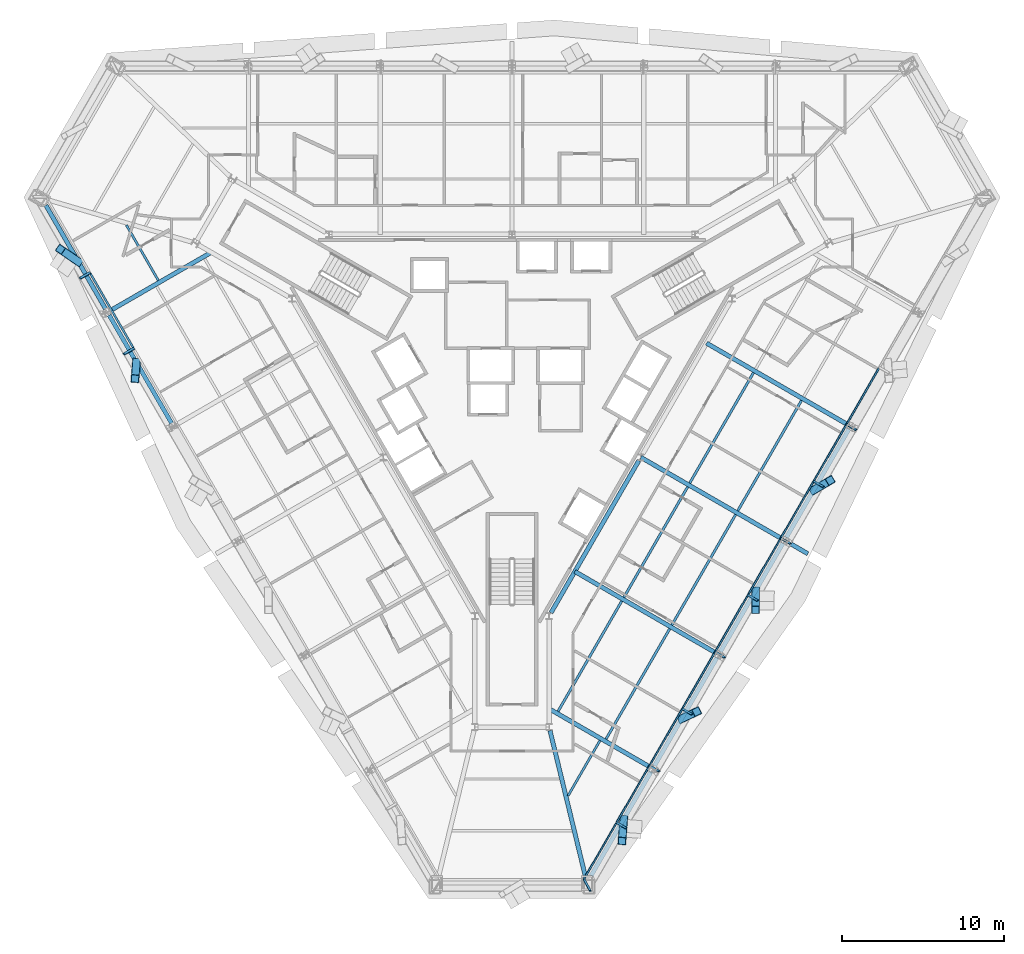
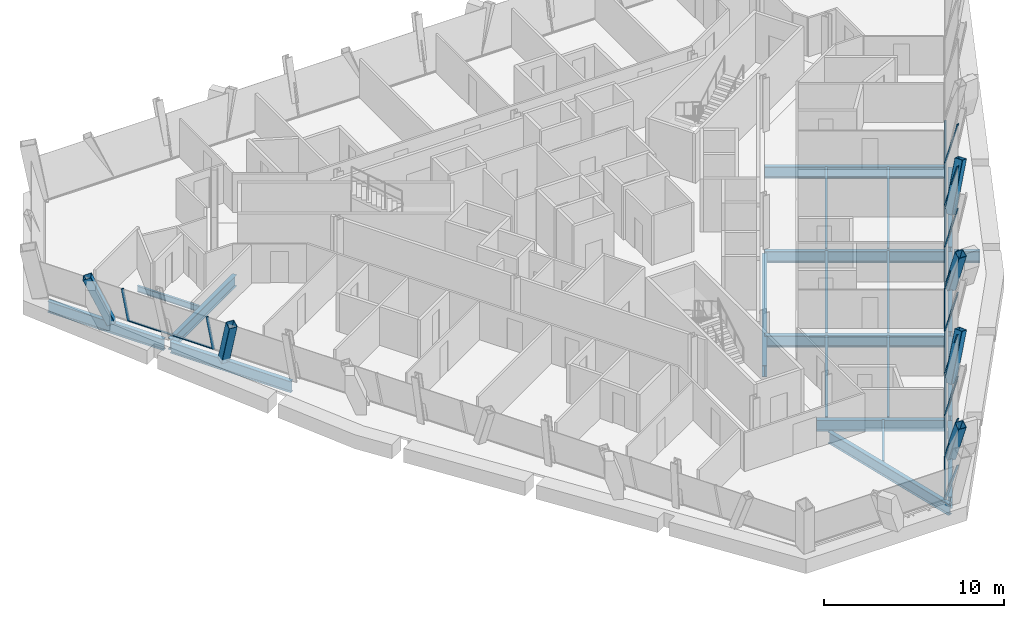
# One storey, part 4 of 14: 27 members, 22 beams, 2 elements without a shape of their own.
"""IFC4 building model written with IfcOpenShell, lengths in metres."""

from ifc_helpers import new_model, si_unit, direction, frame, origin, origin_2d, place, context, subcontext, project, spatial, rectangle, hollow_rectangle, i_section, extrude, material, material_profile, profile_set, type_object, element, aggregate, save


model = new_model("IFC4")

# Units and contexts
model_context = context("Model", 3, precision=1e-05, world=origin(), true_north=direction((0.0, 1.0)))
body_context = subcontext(model_context, "Body", "Model", "MODEL_VIEW")
ifc_project = project(units=[si_unit("LENGTHUNIT", "METRE"), si_unit("AREAUNIT", "SQUARE_METRE"), si_unit("VOLUMEUNIT", "CUBIC_METRE"), si_unit("PLANEANGLEUNIT", "RADIAN"), si_unit("MASSUNIT", "GRAM", prefix="KILO")], contexts=[model_context])

# Site, building, storey
site_placement = place(None, origin())
site = spatial("IfcSite", under=ifc_project, at=site_placement, CompositionType="ELEMENT")
building_placement = place(site_placement, origin())
building = spatial("IfcBuilding", under=site, at=building_placement, Name="Verrane Prism Tower", CompositionType="ELEMENT")
storey_placement = place(building_placement, frame((0.0, 0.0, 128.800048828125)))
storey = spatial("IfcBuildingStorey", under=building, at=storey_placement, Name="L31", CompositionType="ELEMENT", Elevation=128.800048828125)

# Beams
ifc_material_1 = material(Name="Steel A992", Category="steel")
ifc_material_profile_1 = material_profile(ifc_material_1, i_section(OverallWidth=0.2666015625, OverallDepth=0.7568359375, WebThickness=0.013916015625, FlangeThickness=0.019287109375, FilletRadius=0.0166015625, at=origin_2d()), Name="W30x108")
ifc_profile_set_1 = profile_set([ifc_material_profile_1], Name="Steel A992")
beam_type_1 = type_object("IfcBeamType", Name="Core ring girder W30x108", PredefinedType="BEAM", material=ifc_profile_set_1)
beam_1_placement = place(storey_placement, frame((2.4150390625, -14.220703125, -0.628662109375), z_axis=(0.500034555306, 0.86600545235, 0.0), x_axis=(-0.86600545235, 0.500034555306, 0.0)))
element("IfcBeam", 1, at=beam_1_placement, inside=storey, type_object=beam_type_1, Name="Core ring girder L31", PredefinedType="BEAM", context=body_context, shape_type="SweptSolid", body=[
    extrude(i_section(OverallWidth=0.2666015625, OverallDepth=0.7568359375, WebThickness=0.013916015625, FlangeThickness=0.019287109375, FilletRadius=0.0166015625, at=origin_2d()), origin(), (0.0, 0.0, 1.0), 10.879150390625),
])
ifc_material_2 = material(Name="Steel A992", Category="steel")
ifc_material_profile_2 = material_profile(ifc_material_2, i_section(OverallWidth=0.2666015625, OverallDepth=0.76708984375, WebThickness=0.014892578125, FlangeThickness=0.023681640625, FilletRadius=0.0166015625, at=origin_2d()), Name="W30x124")
ifc_profile_set_2 = profile_set([ifc_material_profile_2], Name="Steel A992")
beam_type_2 = type_object("IfcBeamType", Name="Corner girder W30x124", PredefinedType="BEAM", material=ifc_profile_set_2)
beam_2_placement = place(storey_placement, frame((4.639404296875, -30.93798828125, -0.603515625), z_axis=(-0.235869588092, 0.971784717627, 0.0), x_axis=(-0.971784717627, -0.235869588092, 0.0)))
element("IfcBeam", 2, at=beam_2_placement, inside=storey, type_object=beam_type_2, Name="Corner girder L31", PredefinedType="BEAM", context=body_context, shape_type="SweptSolid", body=[
    extrude(i_section(OverallWidth=0.2666015625, OverallDepth=0.76708984375, WebThickness=0.014892578125, FlangeThickness=0.023681640625, FilletRadius=0.0166015625, at=origin_2d()), origin(), (0.0, 0.0, 1.0), 9.6943359375),
])

# Members
ifc_material_3 = material(Name="Steel A1085 Grade A", Category="steel")
ifc_material_profile_3 = material_profile(ifc_material_3, hollow_rectangle(XDim=0.508056640625, YDim=0.508056640625, WallThickness=0.025390625, InnerFilletRadius=0.0126953125, OuterFilletRadius=0.0380859375, at=origin_2d()), Name="HSS20x20x1")
ifc_profile_set_3 = profile_set([ifc_material_profile_3], Name="Steel A1085 Grade A")
member_type_1 = type_object("IfcMemberType", Name="Facade brace HSS20x20x1", PredefinedType="BRACE", material=ifc_profile_set_3)
member_1_placement = place(storey_placement, frame((-26.843994140625, 7.513671875, -0.24267578125), z_axis=(-0.336716788974, 0.231613154228, 0.912675819123), x_axis=(-0.566728792103, -0.823904409626, 0.0)))
element("IfcMember", 3, at=member_1_placement, inside=storey, type_object=member_type_1, Name="Facade brace SW0 L31", PredefinedType="BRACE", context=body_context, shape_type="SweptSolid", body=[
    extrude(hollow_rectangle(XDim=0.508056640625, YDim=0.508056640625, WallThickness=0.025390625, InnerFilletRadius=0.0126953125, OuterFilletRadius=0.0380859375, at=origin_2d()), origin(), (0.0, 0.0, 1.0), 3.296142578125),
])
member_2_placement = place(storey_placement, frame((-23.250244140625, 1.282958984375, -0.24267578125), z_axis=(-0.025523542631, -0.319351795444, 0.94729244667), x_axis=(0.996821379696, -0.079668921054, 0.0)))
element("IfcMember", 4, at=member_2_placement, inside=storey, type_object=member_type_1, Name="Facade brace SW1 L31", PredefinedType="BRACE", context=body_context, shape_type="SweptSolid", body=[
    extrude(hollow_rectangle(XDim=0.508056640625, YDim=0.508056640625, WallThickness=0.025390625, InnerFilletRadius=0.0126953125, OuterFilletRadius=0.0380859375, at=origin_2d()), origin(), (0.0, 0.0, 1.0), 3.17578125),
])
member_3_placement = place(storey_placement, frame((6.91162109375, -27.003662109375, -0.24267578125), z_axis=(-0.03073205858, -0.407958821002, 0.912482953782), x_axis=(0.997174618858, -0.075118436527, 0.0)))
element("IfcMember", 5, at=member_3_placement, inside=storey, type_object=member_type_1, Name="Facade brace SE0 L31", PredefinedType="BRACE", context=body_context, shape_type="SweptSolid", body=[
    extrude(hollow_rectangle(XDim=0.508056640625, YDim=0.508056640625, WallThickness=0.025390625, InnerFilletRadius=0.0126953125, OuterFilletRadius=0.0380859375, at=origin_2d()), origin(), (0.0, 0.0, 1.0), 3.296875),
])
member_4_placement = place(storey_placement, frame((10.509765625, -20.77294921875, -0.24267578125), z_axis=(0.290894533726, 0.136263146181, 0.947001966862), x_axis=(-0.424194800426, 0.905570964249, 0.0)))
element("IfcMember", 6, at=member_4_placement, inside=storey, type_object=member_type_1, Name="Facade brace SE1 L31", PredefinedType="BRACE", context=body_context, shape_type="SweptSolid", body=[
    extrude(hollow_rectangle(XDim=0.508056640625, YDim=0.508056640625, WallThickness=0.025390625, InnerFilletRadius=0.0126953125, OuterFilletRadius=0.0380859375, at=origin_2d()), origin(), (0.0, 0.0, 1.0), 3.1767578125),
])
member_5_placement = place(storey_placement, frame((15.080810546875, -12.85791015625, -0.24267578125), z_axis=(-0.002491623519, -0.366646176077, 0.930357121422), x_axis=(0.999976909917, -0.006795559726, 0.0)))
element("IfcMember", 7, at=member_5_placement, inside=storey, type_object=member_type_1, Name="Facade brace SE2 L31", PredefinedType="BRACE", context=body_context, shape_type="SweptSolid", body=[
    extrude(hollow_rectangle(XDim=0.508056640625, YDim=0.508056640625, WallThickness=0.025390625, InnerFilletRadius=0.0126953125, OuterFilletRadius=0.0380859375, at=origin_2d()), origin(), (0.0, 0.0, 1.0), 3.2333984375),
])
member_6_placement = place(storey_placement, frame((18.678955078125, -6.626953125, -0.24267578125), z_axis=(0.314843865526, 0.184660044959, 0.931006986084), x_axis=(-0.50591604812, 0.862582721978, 0.0)))
element("IfcMember", 8, at=member_6_placement, inside=storey, type_object=member_type_1, Name="Facade brace SE3 L31", PredefinedType="BRACE", context=body_context, shape_type="SweptSolid", body=[
    extrude(hollow_rectangle(XDim=0.508056640625, YDim=0.508056640625, WallThickness=0.025390625, InnerFilletRadius=0.0126953125, OuterFilletRadius=0.0380859375, at=origin_2d()), origin(), (0.0, 0.0, 1.0), 3.231201171875),
])

# Beams
ifc_material_4 = material(Name="Steel A992", Category="steel")
ifc_material_profile_4 = material_profile(ifc_material_4, i_section(OverallWidth=0.140380859375, OverallDepth=0.40380859375, WebThickness=0.007080078125, FlangeThickness=0.01123046875, FilletRadius=0.01025390625, at=origin_2d()), Name="W16x31")
ifc_profile_set_4 = profile_set([ifc_material_profile_4], Name="Steel A992")
beam_type_3 = type_object("IfcBeamType", Name="Floor beam W16x31", PredefinedType="BEAM", material=ifc_profile_set_4)
beam_3_placement = place(storey_placement, frame((-21.891845703125, 6.3505859375, -0.362060546875), z_axis=(-0.499986281351, 0.866033324105, 0.0), x_axis=(-0.866033324105, -0.499986281351, 0.0)))
element("IfcBeam", 9, at=beam_3_placement, inside=storey, type_object=beam_type_3, Name="Floor beam L31", PredefinedType="BEAM", context=body_context, shape_type="SweptSolid", body=[
    extrude(i_section(OverallWidth=0.140380859375, OverallDepth=0.40380859375, WebThickness=0.007080078125, FlangeThickness=0.01123046875, FilletRadius=0.01025390625, at=origin_2d()), origin(), (0.0, 0.0, 1.0), 3.95166015625),
])
beam_4_placement = place(storey_placement, frame((3.46923828125, -25.55126953125, -0.362060546875), z_axis=(0.499995367196, 0.866028078518, 0.0), x_axis=(-0.866028078518, 0.499995367196, 0.0)))
element("IfcBeam", 10, at=beam_4_placement, inside=storey, type_object=beam_type_3, Name="Floor beam L31", PredefinedType="BEAM", context=body_context, shape_type="SweptSolid", body=[
    extrude(i_section(OverallWidth=0.140380859375, OverallDepth=0.40380859375, WebThickness=0.007080078125, FlangeThickness=0.01123046875, FilletRadius=0.01025390625, at=origin_2d()), origin(), (0.0, 0.0, 1.0), 3.94921875),
])
ifc_material_5 = material(Name="Steel A992", Category="steel")
ifc_material_profile_5 = material_profile(ifc_material_5, i_section(OverallWidth=0.15234375, OverallDepth=0.449462890625, WebThickness=0.007568359375, FlangeThickness=0.0107421875, FilletRadius=0.01025390625, at=origin_2d()), Name="W18x35")
ifc_profile_set_5 = profile_set([ifc_material_profile_5], Name="Steel A992")
beam_type_4 = type_object("IfcBeamType", Name="Floor beam W18x35", PredefinedType="BEAM", material=ifc_profile_set_5)
beam_5_placement = place(storey_placement, frame((5.8203125, -22.040283203125, -0.384765625), z_axis=(0.500002097505, 0.866024192786, 0.0), x_axis=(-0.866024192786, 0.500002097505, 0.0)))
element("IfcBeam", 11, at=beam_5_placement, inside=storey, type_object=beam_type_4, Name="Floor beam L31", PredefinedType="BEAM", context=body_context, shape_type="SweptSolid", body=[
    extrude(i_section(OverallWidth=0.15234375, OverallDepth=0.449462890625, WebThickness=0.007568359375, FlangeThickness=0.0107421875, FilletRadius=0.01025390625, at=origin_2d()), origin(), (0.0, 0.0, 1.0), 7.884765625),
])
beam_6_placement = place(storey_placement, frame((2.85107421875, -20.32421875, -0.384765625), z_axis=(0.499996836462, 0.866027230246, 0.0), x_axis=(-0.866027230246, 0.499996836462, 0.0)))
element("IfcBeam", 12, at=beam_6_placement, inside=storey, type_object=beam_type_4, Name="Floor beam L31", PredefinedType="BEAM", context=body_context, shape_type="SweptSolid", body=[
    extrude(i_section(OverallWidth=0.15234375, OverallDepth=0.449462890625, WebThickness=0.007568359375, FlangeThickness=0.0107421875, FilletRadius=0.01025390625, at=origin_2d()), origin(), (0.0, 0.0, 1.0), 7.8818359375),
])
for number, where, z_axis, x_axis, name in (
    (13, (9.896240234375, -14.980712890625, -0.384765625), (0.500013303288, 0.866017722991, 0.0), (-0.866017722991, 0.500013303288, 0.0), "Floor beam L31"),
    (14, (6.92578125, -13.26708984375, -0.384765625), (0.500013303288, 0.866017722991, 0.0), (-0.866017722991, 0.500013303288, 0.0), "Floor beam L31"),
):
    element("IfcBeam", number, at=place(storey_placement, frame(where, z_axis=z_axis, x_axis=x_axis)), inside=storey, type_object=beam_type_4, Name=name, PredefinedType="BEAM", context=body_context, shape_type="SweptSolid", body=[
        extrude(i_section(OverallWidth=0.15234375, OverallDepth=0.449462890625, WebThickness=0.007568359375, FlangeThickness=0.0107421875, FilletRadius=0.01025390625, at=origin_2d()), origin(), (0.0, 0.0, 1.0), 7.895751953125),
    ])
beam_7_placement = place(storey_placement, frame((13.9755859375, -7.910400390625, -0.384765625), z_axis=(0.500013573458, 0.866017567003, 0.0), x_axis=(-0.866017567003, 0.500013573458, 0.0)))
element("IfcBeam", 15, at=beam_7_placement, inside=storey, type_object=beam_type_4, Name="Floor beam L31", PredefinedType="BEAM", context=body_context, shape_type="SweptSolid", body=[
    extrude(i_section(OverallWidth=0.15234375, OverallDepth=0.449462890625, WebThickness=0.007568359375, FlangeThickness=0.0107421875, FilletRadius=0.01025390625, at=origin_2d()), origin(), (0.0, 0.0, 1.0), 7.888427734375),
])
beam_8_placement = place(storey_placement, frame((11.001708984375, -6.19482421875, -0.384765625), z_axis=(0.50000639086, 0.866021713988, 0.0), x_axis=(-0.866021713988, 0.50000639086, 0.0)))
element("IfcBeam", 16, at=beam_8_placement, inside=storey, type_object=beam_type_4, Name="Floor beam L31", PredefinedType="BEAM", context=body_context, shape_type="SweptSolid", body=[
    extrude(i_section(OverallWidth=0.15234375, OverallDepth=0.449462890625, WebThickness=0.007568359375, FlangeThickness=0.0107421875, FilletRadius=0.01025390625, at=origin_2d()), origin(), (0.0, 0.0, 1.0), 7.8896484375),
])

# Curtain wall, members
ifc_material_6 = material(Name="Aluminium framed insulated glazing", Category="aluminium")
curtain_wall_type_1 = type_object("IfcCurtainWallType", Name="Curtain wall CW-C 4200 module", PredefinedType="NOTDEFINED", material=ifc_material_6)
curtain_wall_1_placement = place(storey_placement, origin())
curtain_wall_1 = element("IfcCurtainWall", 17, at=curtain_wall_1_placement, inside=storey, type_object=curtain_wall_type_1, Name="Glazed curtain wall south-east face L31", PredefinedType="NOTDEFINED")
ifc_material_7 = material(Name="Aluminium alloy 6063-T6", Category="aluminium")
ifc_material_profile_6 = material_profile(ifc_material_7, rectangle(XDim=0.139892578125, YDim=0.050048828125, at=origin_2d()), Name="Mullion 50x140 aluminium")
ifc_profile_set_6 = profile_set([ifc_material_profile_6], Name="Aluminium alloy 6063-T6")
member_type_2 = type_object("IfcMemberType", Name="Mullion 50x140 aluminium", PredefinedType="MULLION", material=ifc_profile_set_6)
member_7_placement = place(storey_placement, frame((4.450439453125, -30.713623046875, 0.0), z_axis=(0.14289379229, -0.263591356083, 0.953992117957), x_axis=(-0.988676647099, 0.006611802312, 0.149915881586)))
member_7 = element("IfcMember", 18, at=member_7_placement, type_object=member_type_2, Name="CW29.6 mullion 1", PredefinedType="MULLION", context=body_context, shape_type="SweptSolid", body=[
    extrude(rectangle(XDim=0.139892578125, YDim=0.050048828125, at=origin_2d()), origin(), (0.0, 0.0, 1.0), 2.73876953125),
])
member_8_placement = place(storey_placement, frame((6.47119140625, -27.213623046875, 0.0), z_axis=(0.224108381383, -0.129428682603, 0.965931493178), x_axis=(-0.851340840511, -0.508404048805, 0.129398981592)))
member_8 = element("IfcMember", 19, at=member_8_placement, type_object=member_type_2, Name="CW29.6 mullion 2", PredefinedType="MULLION", context=body_context, shape_type="SweptSolid", body=[
    extrude(rectangle(XDim=0.139892578125, YDim=0.050048828125, at=origin_2d()), origin(), (0.0, 0.0, 1.0), 2.704833984375),
])
member_9_placement = place(storey_placement, frame((8.50439453125, -23.692138671875, 0.0), z_axis=(0.224110998518, -0.129339935915, 0.965942773316), x_axis=(-0.851192117884, -0.508658362724, 0.129377928885)))
member_9 = element("IfcMember", 20, at=member_9_placement, type_object=member_type_2, Name="CW29.6 mullion 3", PredefinedType="MULLION", context=body_context, shape_type="SweptSolid", body=[
    extrude(rectangle(XDim=0.139892578125, YDim=0.050048828125, at=origin_2d()), origin(), (0.0, 0.0, 1.0), 2.704833984375),
])
member_10_placement = place(storey_placement, frame((10.53759765625, -20.17041015625, 0.0), z_axis=(0.224108381383, -0.129428682603, 0.965931493178), x_axis=(-0.851340840511, -0.508404048805, 0.129398981592)))
member_10 = element("IfcMember", 21, at=member_10_placement, type_object=member_type_2, Name="CW29.6 mullion 4", PredefinedType="MULLION", context=body_context, shape_type="SweptSolid", body=[
    extrude(rectangle(XDim=0.139892578125, YDim=0.050048828125, at=origin_2d()), origin(), (0.0, 0.0, 1.0), 2.704833984375),
])
member_11_placement = place(storey_placement, frame((12.57080078125, -16.648681640625, 0.0), z_axis=(0.224108381383, -0.129428682603, 0.965931493178), x_axis=(-0.851340840511, -0.508404048805, 0.129398981592)))
member_11 = element("IfcMember", 22, at=member_11_placement, type_object=member_type_2, Name="CW29.6 mullion 5", PredefinedType="MULLION", context=body_context, shape_type="SweptSolid", body=[
    extrude(rectangle(XDim=0.139892578125, YDim=0.050048828125, at=origin_2d()), origin(), (0.0, 0.0, 1.0), 2.704833984375),
])
member_12_placement = place(storey_placement, frame((14.60400390625, -13.127197265625, 0.0), z_axis=(0.224110998518, -0.129339935915, 0.965942773316), x_axis=(-0.851192117884, -0.508658362724, 0.129377928885)))
member_12 = element("IfcMember", 23, at=member_12_placement, type_object=member_type_2, Name="CW29.6 mullion 6", PredefinedType="MULLION", context=body_context, shape_type="SweptSolid", body=[
    extrude(rectangle(XDim=0.139892578125, YDim=0.050048828125, at=origin_2d()), origin(), (0.0, 0.0, 1.0), 2.704833984375),
])
member_13_placement = place(storey_placement, frame((16.63720703125, -9.60546875, 0.0), z_axis=(0.224108381383, -0.129428682603, 0.965931493178), x_axis=(-0.851340840511, -0.508404048805, 0.129398981592)))
member_13 = element("IfcMember", 24, at=member_13_placement, type_object=member_type_2, Name="CW29.6 mullion 7", PredefinedType="MULLION", context=body_context, shape_type="SweptSolid", body=[
    extrude(rectangle(XDim=0.139892578125, YDim=0.050048828125, at=origin_2d()), origin(), (0.0, 0.0, 1.0), 2.704833984375),
])
member_14_placement = place(storey_placement, frame((18.67041015625, -6.083984375, 0.0), z_axis=(0.224110998518, -0.129339935915, 0.965942773316), x_axis=(-0.851192117884, -0.508658362724, 0.129377928885)))
member_14 = element("IfcMember", 25, at=member_14_placement, type_object=member_type_2, Name="CW29.6 mullion 8", PredefinedType="MULLION", context=body_context, shape_type="SweptSolid", body=[
    extrude(rectangle(XDim=0.139892578125, YDim=0.050048828125, at=origin_2d()), origin(), (0.0, 0.0, 1.0), 2.704833984375),
])
member_15_placement = place(storey_placement, frame((20.70361328125, -2.562255859375, 0.0), z_axis=(0.224110998518, -0.129339935915, 0.965942773316), x_axis=(-0.851192117884, -0.508658362724, 0.129377928885)))
member_15 = element("IfcMember", 26, at=member_15_placement, type_object=member_type_2, Name="CW29.6 mullion 9", PredefinedType="MULLION", context=body_context, shape_type="SweptSolid", body=[
    extrude(rectangle(XDim=0.139892578125, YDim=0.050048828125, at=origin_2d()), origin(), (0.0, 0.0, 1.0), 2.704833984375),
])

ifc_material_8 = material(Name="Aluminium framed insulated glazing", Category="aluminium")
curtain_wall_type_2 = type_object("IfcCurtainWallType", Name="Curtain wall CW-B 5600 module", PredefinedType="NOTDEFINED", material=ifc_material_8)
curtain_wall_2_placement = place(storey_placement, origin())
curtain_wall_2 = element("IfcCurtainWall", 27, at=curtain_wall_2_placement, inside=storey, type_object=curtain_wall_type_2, Name="Glazed curtain wall south-west face L31", PredefinedType="NOTDEFINED")
ifc_material_9 = material(Name="Aluminium alloy 6063-T6", Category="aluminium")
ifc_material_profile_7 = material_profile(ifc_material_9, rectangle(XDim=0.159912109375, YDim=0.06005859375, at=origin_2d()), Name="Mullion 60x160 aluminium")
ifc_profile_set_7 = profile_set([ifc_material_profile_7], Name="Aluminium alloy 6063-T6")
member_type_3 = type_object("IfcMemberType", Name="Mullion 60x160 aluminium", PredefinedType="MULLION", material=ifc_profile_set_7)
member_16_placement = place(storey_placement, frame((-26.12548828125, 6.828857421875, 0.0), z_axis=(-0.224108381383, -0.129428682603, 0.965931493178), x_axis=(0.851340840511, -0.508404048805, 0.129398981592)))
member_16 = element("IfcMember", 28, at=member_16_placement, type_object=member_type_3, Name="CW29.4 mullion 2", PredefinedType="MULLION", context=body_context, shape_type="SweptSolid", body=[
    extrude(rectangle(XDim=0.159912109375, YDim=0.06005859375, at=origin_2d()), origin(), (0.0, 0.0, 1.0), 2.704833984375),
])
member_17_placement = place(storey_placement, frame((-23.41455078125, 2.13330078125, 0.0), z_axis=(-0.224108381383, -0.129428682603, 0.965931493178), x_axis=(0.851340840511, -0.508404048805, 0.129398981592)))
member_17 = element("IfcMember", 29, at=member_17_placement, type_object=member_type_3, Name="CW29.4 mullion 3", PredefinedType="MULLION", context=body_context, shape_type="SweptSolid", body=[
    extrude(rectangle(XDim=0.159912109375, YDim=0.06005859375, at=origin_2d()), origin(), (0.0, 0.0, 1.0), 2.704833984375),
])

# Beams
ifc_material_10 = material(Name="Steel A992", Category="steel")
ifc_material_profile_8 = material_profile(ifc_material_10, i_section(OverallWidth=0.2666015625, OverallDepth=0.76708984375, WebThickness=0.014892578125, FlangeThickness=0.023681640625, FilletRadius=0.0166015625, at=origin_2d()), Name="W30x124")
ifc_profile_set_8 = profile_set([ifc_material_profile_8], Name="Steel A992")
beam_type_5 = type_object("IfcBeamType", Name="Radial girder W30x124", PredefinedType="BEAM", material=ifc_profile_set_8)
beam_9_placement = place(storey_placement, frame((-24.843017578125, 4.49365234375, -0.603515625), z_axis=(0.866018882953, 0.500011294241, 0.0), x_axis=(-0.500011294241, 0.866018882953, 0.0)))
element("IfcBeam", 30, at=beam_9_placement, inside=storey, type_object=beam_type_5, Name="Radial girder L31", PredefinedType="BEAM", context=body_context, shape_type="SweptSolid", body=[
    extrude(i_section(OverallWidth=0.2666015625, OverallDepth=0.76708984375, WebThickness=0.014892578125, FlangeThickness=0.023681640625, FilletRadius=0.0166015625, at=origin_2d()), origin(), (0.0, 0.0, 1.0), 7.194580078125),
])
beam_10_placement = place(storey_placement, frame((8.523193359375, -23.75634765625, -0.603515625), z_axis=(-0.866020377705, 0.500008705323, 0.0), x_axis=(-0.500008705323, -0.866020377705, 0.0)))
element("IfcBeam", 31, at=beam_10_placement, inside=storey, type_object=beam_type_5, Name="Radial girder L31", PredefinedType="BEAM", context=body_context, shape_type="SweptSolid", body=[
    extrude(i_section(OverallWidth=0.2666015625, OverallDepth=0.76708984375, WebThickness=0.014892578125, FlangeThickness=0.023681640625, FilletRadius=0.0166015625, at=origin_2d()), origin(), (0.0, 0.0, 1.0), 7.185791015625),
])
beam_11_placement = place(storey_placement, frame((12.60302734375, -16.6962890625, -0.603515625), z_axis=(-0.866030409726, 0.499991329354, 0.0), x_axis=(-0.499991329354, -0.866030409726, 0.0)))
element("IfcBeam", 32, at=beam_11_placement, inside=storey, type_object=beam_type_5, Name="Radial girder L31", PredefinedType="BEAM", context=body_context, shape_type="SweptSolid", body=[
    extrude(i_section(OverallWidth=0.2666015625, OverallDepth=0.76708984375, WebThickness=0.014892578125, FlangeThickness=0.023681640625, FilletRadius=0.0166015625, at=origin_2d()), origin(), (0.0, 0.0, 1.0), 10.060791015625),
])
beam_12_placement = place(storey_placement, frame((16.68310546875, -9.626220703125, -0.603515625), z_axis=(-0.866036042541, 0.49998157268, 0.0), x_axis=(-0.49998157268, -0.866036042541, 0.0)))
element("IfcBeam", 33, at=beam_12_placement, inside=storey, type_object=beam_type_5, Name="Radial girder L31", PredefinedType="BEAM", context=body_context, shape_type="SweptSolid", body=[
    extrude(i_section(OverallWidth=0.2666015625, OverallDepth=0.76708984375, WebThickness=0.014892578125, FlangeThickness=0.023681640625, FilletRadius=0.0166015625, at=origin_2d()), origin(), (0.0, 0.0, 1.0), 10.05908203125),
])
beam_13_placement = place(storey_placement, frame((20.76318359375, -2.56640625, -0.603515625), z_axis=(-0.866026084844, 0.499998820369, 0.0), x_axis=(-0.499998820369, -0.866026084844, 0.0)))
element("IfcBeam", 34, at=beam_13_placement, inside=storey, type_object=beam_type_5, Name="Radial girder L31", PredefinedType="BEAM", context=body_context, shape_type="SweptSolid", body=[
    extrude(i_section(OverallWidth=0.2666015625, OverallDepth=0.76708984375, WebThickness=0.014892578125, FlangeThickness=0.023681640625, FilletRadius=0.0166015625, at=origin_2d()), origin(), (0.0, 0.0, 1.0), 10.068359375),
])
beam_14_placement = place(storey_placement, frame((17.073486328125, -9.851806640625, -0.603515625), z_axis=(0.866083347907, -0.499899624403, 0.0), x_axis=(0.499899624403, 0.866083347907, 0.0)))
element("IfcBeam", 35, at=beam_14_placement, inside=storey, type_object=beam_type_5, Name="Cantilever girder L31", PredefinedType="BEAM", context=body_context, shape_type="SweptSolid", body=[
    extrude(i_section(OverallWidth=0.2666015625, OverallDepth=0.76708984375, WebThickness=0.014892578125, FlangeThickness=0.023681640625, FilletRadius=0.0166015625, at=origin_2d()), origin(), (0.0, 0.0, 1.0), 1.431396484375),
])
ifc_material_11 = material(Name="Steel A992", Category="steel")
ifc_material_profile_9 = material_profile(ifc_material_11, i_section(OverallWidth=0.2666015625, OverallDepth=0.7568359375, WebThickness=0.013916015625, FlangeThickness=0.019287109375, FilletRadius=0.0166015625, at=origin_2d()), Name="W30x108")
ifc_profile_set_9 = profile_set([ifc_material_profile_9], Name="Steel A992")
beam_type_6 = type_object("IfcBeamType", Name="Spandrel beam W30x108", PredefinedType="SPANDREL", material=ifc_profile_set_9)
beam_15_placement = place(storey_placement, frame((-28.8505859375, 10.999267578125, -0.53857421875), z_axis=(0.498911336426, -0.866653032294, 0.0), x_axis=(0.866653032294, 0.498911336426, 0.0)))
element("IfcBeam", 36, at=beam_15_placement, inside=storey, type_object=beam_type_6, Name="Spandrel beam L31", PredefinedType="SPANDREL", context=body_context, shape_type="SweptSolid", body=[
    extrude(i_section(OverallWidth=0.2666015625, OverallDepth=0.7568359375, WebThickness=0.013916015625, FlangeThickness=0.019287109375, FilletRadius=0.0166015625, at=origin_2d()), origin(), (0.0, 0.0, 1.0), 7.42822265625),
])
beam_16_placement = place(storey_placement, frame((-24.93505859375, 4.198486328125, -0.53857421875), z_axis=(0.500348062424, -0.86582435657, 0.0), x_axis=(0.86582435657, 0.500348062424, 0.0)))
element("IfcBeam", 37, at=beam_16_placement, inside=storey, type_object=beam_type_6, Name="Spandrel beam L31", PredefinedType="SPANDREL", context=body_context, shape_type="SweptSolid", body=[
    extrude(i_section(OverallWidth=0.2666015625, OverallDepth=0.7568359375, WebThickness=0.013916015625, FlangeThickness=0.019287109375, FilletRadius=0.0166015625, at=origin_2d()), origin(), (0.0, 0.0, 1.0), 7.73486328125),
])
beam_17_placement = place(storey_placement, frame((4.899658203125, -30.489990234375, -0.53857421875), z_axis=(0.499830490961, 0.866123247757, 0.0), x_axis=(-0.866123247757, 0.499830490961, 0.0)))
element("IfcBeam", 38, at=beam_17_placement, inside=storey, type_object=beam_type_6, Name="Spandrel beam L31", PredefinedType="SPANDREL", context=body_context, shape_type="SweptSolid", body=[
    extrude(i_section(OverallWidth=0.2666015625, OverallDepth=0.7568359375, WebThickness=0.013916015625, FlangeThickness=0.019287109375, FilletRadius=0.0166015625, at=origin_2d()), origin(), (0.0, 0.0, 1.0), 7.43359375),
])
beam_18_placement = place(storey_placement, frame((8.824951171875, -23.688720703125, -0.53857421875), z_axis=(0.500334388905, 0.865832258165, 0.0), x_axis=(-0.865832258165, 0.500334388905, 0.0)))
element("IfcBeam", 39, at=beam_18_placement, inside=storey, type_object=beam_type_6, Name="Spandrel beam L31", PredefinedType="SPANDREL", context=body_context, shape_type="SweptSolid", body=[
    extrude(i_section(OverallWidth=0.2666015625, OverallDepth=0.7568359375, WebThickness=0.013916015625, FlangeThickness=0.019287109375, FilletRadius=0.0166015625, at=origin_2d()), origin(), (0.0, 0.0, 1.0), 7.735107421875),
])
beam_19_placement = place(storey_placement, frame((12.90478515625, -16.62841796875, -0.53857421875), z_axis=(0.499835262026, 0.866120494409, 0.0), x_axis=(-0.866120494409, 0.499835262026, 0.0)))
element("IfcBeam", 40, at=beam_19_placement, inside=storey, type_object=beam_type_6, Name="Spandrel beam L31", PredefinedType="SPANDREL", context=body_context, shape_type="SweptSolid", body=[
    extrude(i_section(OverallWidth=0.2666015625, OverallDepth=0.7568359375, WebThickness=0.013916015625, FlangeThickness=0.019287109375, FilletRadius=0.0166015625, at=origin_2d()), origin(), (0.0, 0.0, 1.0), 7.74365234375),
])
beam_20_placement = place(storey_placement, frame((16.98486328125, -9.55859375, -0.53857421875), z_axis=(0.500334388905, 0.865832258165, 0.0), x_axis=(-0.865832258165, 0.500334388905, 0.0)))
element("IfcBeam", 41, at=beam_20_placement, inside=storey, type_object=beam_type_6, Name="Spandrel beam L31", PredefinedType="SPANDREL", context=body_context, shape_type="SweptSolid", body=[
    extrude(i_section(OverallWidth=0.2666015625, OverallDepth=0.7568359375, WebThickness=0.013916015625, FlangeThickness=0.019287109375, FilletRadius=0.0166015625, at=origin_2d()), origin(), (0.0, 0.0, 1.0), 7.735107421875),
])

# Member
ifc_material_12 = material(Name="Aluminium alloy 6063-T6", Category="aluminium")
ifc_material_profile_10 = material_profile(ifc_material_12, rectangle(XDim=0.10009765625, YDim=0.050048828125, at=origin_2d()), Name="Transom 50x100 aluminium")
ifc_profile_set_10 = profile_set([ifc_material_profile_10], Name="Aluminium alloy 6063-T6")
member_type_4 = type_object("IfcMemberType", Name="Transom 50x100 aluminium", PredefinedType="USERDEFINED", material=ifc_profile_set_10)
member_18_placement = place(storey_placement, frame((4.462890625, -30.69189453125, 0.02490234375), z_axis=(0.499994260308, 0.866028717572, 0.0), x_axis=(-0.866028717572, 0.499994260308, 0.0)))
member_18 = element("IfcMember", 42, at=member_18_placement, type_object=member_type_4, Name="CW29.6 transom 1", ObjectType="TRANSOM", PredefinedType="USERDEFINED", context=body_context, shape_type="SweptSolid", body=[
    extrude(rectangle(XDim=0.10009765625, YDim=0.050048828125, at=origin_2d()), origin(), (0.0, 0.0, 1.0), 3.9912109375),
])

member_19_placement = place(storey_placement, frame((6.483642578125, -27.19189453125, 0.02490234375), z_axis=(0.500022371132, 0.86601248742, 0.0), x_axis=(-0.86601248742, 0.500022371132, 0.0)))
member_19 = element("IfcMember", 43, at=member_19_placement, type_object=member_type_4, Name="CW29.6 transom 2", ObjectType="TRANSOM", PredefinedType="USERDEFINED", context=body_context, shape_type="SweptSolid", body=[
    extrude(rectangle(XDim=0.10009765625, YDim=0.050048828125, at=origin_2d()), origin(), (0.0, 0.0, 1.0), 4.016357421875),
])

member_20_placement = place(storey_placement, frame((8.516845703125, -23.67041015625, 0.02490234375), z_axis=(0.500022371132, 0.86601248742, 0.0), x_axis=(-0.86601248742, 0.500022371132, 0.0)))
member_20 = element("IfcMember", 44, at=member_20_placement, type_object=member_type_4, Name="CW29.6 transom 3", ObjectType="TRANSOM", PredefinedType="USERDEFINED", context=body_context, shape_type="SweptSolid", body=[
    extrude(rectangle(XDim=0.10009765625, YDim=0.050048828125, at=origin_2d()), origin(), (0.0, 0.0, 1.0), 4.016357421875),
])

member_21_placement = place(storey_placement, frame((10.550048828125, -20.148681640625, 0.02490234375), z_axis=(0.500022371132, 0.86601248742, 0.0), x_axis=(-0.86601248742, 0.500022371132, 0.0)))
member_21 = element("IfcMember", 45, at=member_21_placement, type_object=member_type_4, Name="CW29.6 transom 4", ObjectType="TRANSOM", PredefinedType="USERDEFINED", context=body_context, shape_type="SweptSolid", body=[
    extrude(rectangle(XDim=0.10009765625, YDim=0.050048828125, at=origin_2d()), origin(), (0.0, 0.0, 1.0), 4.016357421875),
])

member_22_placement = place(storey_placement, frame((12.583251953125, -16.627197265625, 0.02490234375), z_axis=(0.499996050563, 0.866027683981, 0.0), x_axis=(-0.866027683981, 0.499996050563, 0.0)))
member_22 = element("IfcMember", 46, at=member_22_placement, type_object=member_type_4, Name="CW29.6 transom 5", ObjectType="TRANSOM", PredefinedType="USERDEFINED", context=body_context, shape_type="SweptSolid", body=[
    extrude(rectangle(XDim=0.10009765625, YDim=0.050048828125, at=origin_2d()), origin(), (0.0, 0.0, 1.0), 4.0166015625),
])

member_23_placement = place(storey_placement, frame((14.616455078125, -13.10546875, 0.02490234375), z_axis=(0.500022371132, 0.86601248742, 0.0), x_axis=(-0.86601248742, 0.500022371132, 0.0)))
member_23 = element("IfcMember", 47, at=member_23_placement, type_object=member_type_4, Name="CW29.6 transom 6", ObjectType="TRANSOM", PredefinedType="USERDEFINED", context=body_context, shape_type="SweptSolid", body=[
    extrude(rectangle(XDim=0.10009765625, YDim=0.050048828125, at=origin_2d()), origin(), (0.0, 0.0, 1.0), 4.016357421875),
])

member_24_placement = place(storey_placement, frame((16.649658203125, -9.583740234375, 0.02490234375), z_axis=(0.500022371132, 0.86601248742, 0.0), x_axis=(-0.86601248742, 0.500022371132, 0.0)))
member_24 = element("IfcMember", 48, at=member_24_placement, type_object=member_type_4, Name="CW29.6 transom 7", ObjectType="TRANSOM", PredefinedType="USERDEFINED", context=body_context, shape_type="SweptSolid", body=[
    extrude(rectangle(XDim=0.10009765625, YDim=0.050048828125, at=origin_2d()), origin(), (0.0, 0.0, 1.0), 4.016357421875),
])

member_25_placement = place(storey_placement, frame((18.682861328125, -6.062255859375, 0.02490234375), z_axis=(0.500022371132, 0.86601248742, 0.0), x_axis=(-0.86601248742, 0.500022371132, 0.0)))
member_25 = element("IfcMember", 49, at=member_25_placement, type_object=member_type_4, Name="CW29.6 transom 8", ObjectType="TRANSOM", PredefinedType="USERDEFINED", context=body_context, shape_type="SweptSolid", body=[
    extrude(rectangle(XDim=0.10009765625, YDim=0.050048828125, at=origin_2d()), origin(), (0.0, 0.0, 1.0), 4.016357421875),
])

member_26_placement = place(storey_placement, frame((20.716064453125, -2.54052734375, 0.02490234375), z_axis=(0.500022371132, 0.86601248742, 0.0), x_axis=(-0.86601248742, 0.500022371132, 0.0)))
member_26 = element("IfcMember", 50, at=member_26_placement, type_object=member_type_4, Name="CW29.6 transom 9", ObjectType="TRANSOM", PredefinedType="USERDEFINED", context=body_context, shape_type="SweptSolid", body=[
    extrude(rectangle(XDim=0.10009765625, YDim=0.050048828125, at=origin_2d()), origin(), (0.0, 0.0, 1.0), 4.016357421875),
])

aggregate(curtain_wall_1, [member_7, member_8, member_9, member_10, member_11, member_12, member_13, member_14, member_15, member_18, member_19, member_20, member_21, member_22, member_23, member_24, member_25, member_26])

ifc_material_13 = material(Name="Aluminium alloy 6063-T6", Category="aluminium")
ifc_material_profile_11 = material_profile(ifc_material_13, rectangle(XDim=0.1201171875, YDim=0.06005859375, at=origin_2d()), Name="Transom 60x120 aluminium")
ifc_profile_set_11 = profile_set([ifc_material_profile_11], Name="Aluminium alloy 6063-T6")
member_type_5 = type_object("IfcMemberType", Name="Transom 60x120 aluminium", PredefinedType="USERDEFINED", material=ifc_profile_set_11)
member_27_placement = place(storey_placement, frame((-26.110595703125, 6.802734375, 0.030029296875), z_axis=(0.499993097703, -0.866029388791, 0.0), x_axis=(0.866029388791, 0.499993097703, 0.0)))
member_27 = element("IfcMember", 51, at=member_27_placement, type_object=member_type_5, Name="CW29.4 transom 2", ObjectType="TRANSOM", PredefinedType="USERDEFINED", context=body_context, shape_type="SweptSolid", body=[
    extrude(rectangle(XDim=0.1201171875, YDim=0.06005859375, at=origin_2d()), origin(), (0.0, 0.0, 1.0), 5.36181640625),
])

aggregate(curtain_wall_2, [member_16, member_17, member_27])

save(model, "model.ifc")
